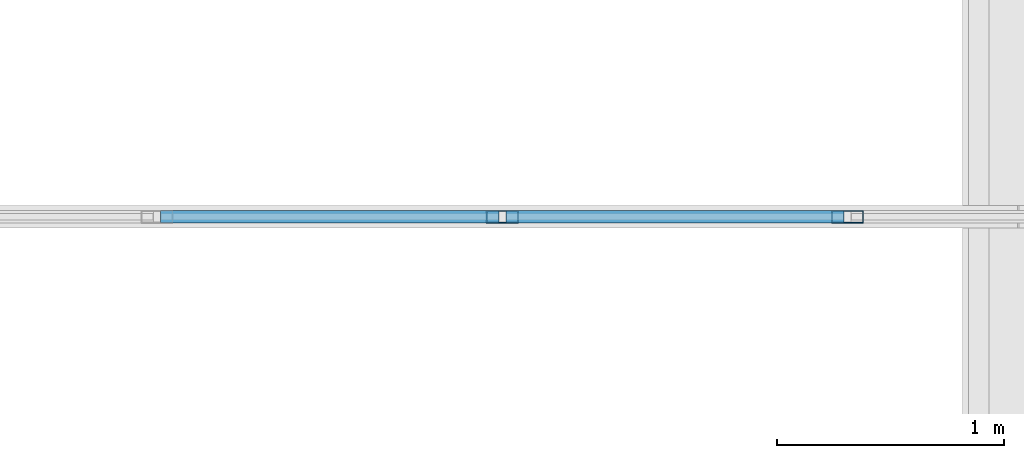
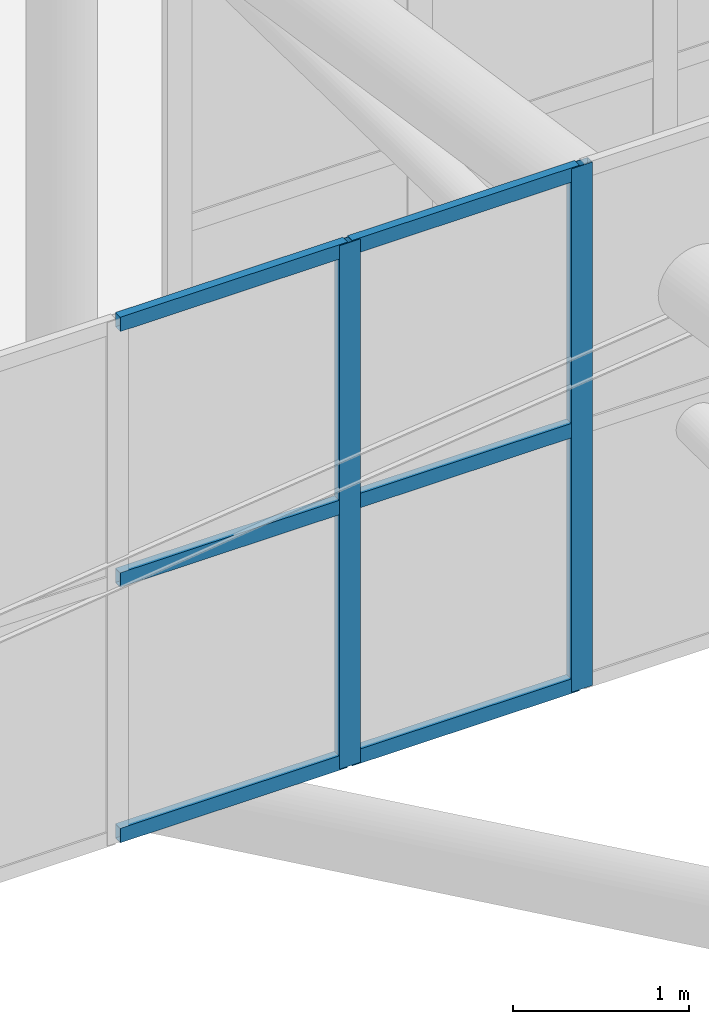
# One storey, part 241 of 397: 8 members, 1 element without a shape of its own.
"""IFC4 building model written with IfcOpenShell, lengths in metres."""

import ifcopenshell
import ifcopenshell.guid

model = None  # the IFC model being written
_history = None  # IfcOwnerHistory: only IFC2X3 demands one
_inside = {}  # id of a spatial element -> (the spatial element, [elements in it])
_under = {}  # id of a project, library or spatial element -> (it, [spatial elements below it])
_declared = {}  # id of a project -> (the project, [libraries it declares])
_typed = {}  # id of a type object -> (the type object, [elements of that type])
_made_of = {}  # id of a material, layer set ... -> (it, [elements and type objects made of it])


def new_model(schema):
    """Start an empty IFC model of exactly this schema.

    Asked for "IFC4X3", IfcOpenShell would pick the latest addendum, in which some entities
    have other attributes; the version numbers below select the first issue.
    IFC2X3 requires an IfcOwnerHistory on every rooted entity: one is made here for all.
    """
    global model, _history
    if schema == "IFC4X3":
        model = ifcopenshell.file(schema_version=(4, 3, 0, 0))
    else:
        model = ifcopenshell.file(schema=schema)
    _inside.clear()
    _under.clear()
    _declared.clear()
    _typed.clear()
    _made_of.clear()
    _history = None
    if model.schema == "IFC2X3":
        org = make("IfcOrganization", Name="unknown")
        user = make(
            "IfcPersonAndOrganization",
            ThePerson=make("IfcPerson", FamilyName="unknown"),
            TheOrganization=org,
        )
        app = make(
            "IfcApplication",
            ApplicationDeveloper=org,
            Version="unknown",
            ApplicationFullName="unknown",
            ApplicationIdentifier="unknown",
        )
        _history = make(
            "IfcOwnerHistory",
            OwningUser=user,
            OwningApplication=app,
            ChangeAction="ADDED",
            CreationDate=0,
        )
    return model


def make(cls, **values):
    """One entity of the class cls with the attributes given. An attribute that is None is left unset."""
    return model.create_entity(
        cls, **{name: value for name, value in values.items() if value is not None}
    )


def rooted(cls, **values):
    """An entity with a GlobalId (a new one), such as an element, a storey or a relation."""
    return make(cls, GlobalId=ifcopenshell.guid.new(), OwnerHistory=_history, **values)


def si_unit(unit_type, name, prefix=None):
    """IfcSIUnit, for example si_unit("LENGTHUNIT", "METRE", prefix="MILLI")."""
    return make("IfcSIUnit", UnitType=unit_type, Prefix=prefix, Name=name)


def assignment(units):
    """IfcUnitAssignment: the units of a project."""
    return None if units is None else make("IfcUnitAssignment", Units=units)


def point(xyz):
    """IfcCartesianPoint."""
    return None if xyz is None else make("IfcCartesianPoint", Coordinates=xyz)


def direction(xyz):
    """IfcDirection."""
    return None if xyz is None else make("IfcDirection", DirectionRatios=xyz)


def frame(location, z_axis=None, x_axis=None):
    """IfcAxis2Placement3D, a coordinate frame: its origin and axes. An axis left out is left unset."""
    return make(
        "IfcAxis2Placement3D",
        Location=point(location),
        Axis=direction(z_axis),
        RefDirection=direction(x_axis),
    )


def frame_2d(location, x_axis=None):
    """IfcAxis2Placement2D, a coordinate frame in the plane: its origin and x axis."""
    return make(
        "IfcAxis2Placement2D", Location=point(location), RefDirection=direction(x_axis)
    )


def origin():
    """The frame at (0, 0, 0) with its axes left unset."""
    return frame((0.0, 0.0, 0.0))


def origin_2d():
    """The frame at (0, 0) in the plane with its x axis left unset."""
    return frame_2d((0.0, 0.0))


def place(relative_to, where):
    """IfcLocalPlacement: puts the frame where relative to a parent placement (None: the world)."""
    return make(
        "IfcLocalPlacement", PlacementRelTo=relative_to, RelativePlacement=where
    )


def context(
    kind, dimensions, precision=None, world=None, true_north=None, identifier=None
):
    """IfcGeometricRepresentationContext, for example the 3D "Model" context."""
    return make(
        "IfcGeometricRepresentationContext",
        ContextIdentifier=identifier,
        ContextType=kind,
        CoordinateSpaceDimension=dimensions,
        Precision=precision,
        WorldCoordinateSystem=world,
        TrueNorth=true_north,
    )


def subcontext(parent, identifier, kind, view, scale=None):
    """IfcGeometricRepresentationSubContext, for example "Body" below "Model"."""
    return make(
        "IfcGeometricRepresentationSubContext",
        ContextIdentifier=identifier,
        ContextType=kind,
        ParentContext=parent,
        TargetScale=scale,
        TargetView=view,
    )


def project(units=None, contexts=None):
    """IfcProject with its units and contexts."""
    return rooted(
        "IfcProject",
        Name="project",
        RepresentationContexts=contexts,
        UnitsInContext=assignment(units),
    )


def spatial(cls, under=None, at=None, **own):
    """A site, building, storey or space (cls), placed at a placement, below another one or the project."""
    s = rooted(cls, ObjectPlacement=at, **own)
    if under is not None:
        _under.setdefault(under.id(), (under, []))[1].append(s)
    return s


def profile(cls, at=None, kind="AREA", **sizes):
    """A parametric profile (cls). Its sizes go by their IFC names, for example OverallWidth=200.0."""
    return make(cls, ProfileType=kind, Position=at, **sizes)


def hollow_rectangle(**sizes):
    """IfcRectangleHollowProfileDef."""
    return profile("IfcRectangleHollowProfileDef", **sizes)


def extrude(swept, where, along, depth):
    """IfcExtrudedAreaSolid: the profile swept, set in the frame where, extruded along a direction by depth."""
    return make(
        "IfcExtrudedAreaSolid",
        SweptArea=swept,
        Position=where,
        ExtrudedDirection=direction(along),
        Depth=depth,
    )


def shape(context_of_items, identifier, shape_type, items):
    """IfcShapeRepresentation: the items that make up one representation, for example the "Body"."""
    return make(
        "IfcShapeRepresentation",
        ContextOfItems=context_of_items,
        RepresentationIdentifier=identifier,
        RepresentationType=shape_type,
        Items=items,
    )


def material(Name=None, Category=None):
    """IfcMaterial."""
    return make("IfcMaterial", Name=Name, Category=Category)


def material_profile(
    of_material, cross_section, Name=None, Category=None, Priority=None
):
    """IfcMaterialProfile: a cross section and its material."""
    return make(
        "IfcMaterialProfile",
        Name=Name,
        Material=of_material,
        Profile=cross_section,
        Priority=Priority,
        Category=Category,
    )


def profile_set(profiles, Name=None, composite=None):
    """IfcMaterialProfileSet."""
    return make(
        "IfcMaterialProfileSet",
        Name=Name,
        MaterialProfiles=profiles,
        CompositeProfile=composite,
    )


def made_of(thing, what):
    """Note that an element or type object is made of a material, layer set ...; save() writes the relation."""
    if what is not None:
        _made_of.setdefault(what.id(), (what, []))[1].append(thing)
    return thing


def type_object(cls, material=None, **own):
    """A type object (cls), such as IfcWallType, which elements share."""
    return made_of(rooted(cls, **own), material)


def element(
    cls,
    number,
    at=None,
    inside=None,
    cuts=None,
    type_object=None,
    material=None,
    context=None,
    identifier="Body",
    shape_type=None,
    held_by="IfcProductDefinitionShape",
    body=None,
    shapes=None,
    **own,
):
    """One element of the class cls, such as IfcWall. Its Tag is "e" and its number.

    at: its placement. inside: the storey or other place that contains it. cuts: it is an
    opening in that element (IfcRelVoidsElement). A single representation is given by context,
    identifier, shape_type and body (its items); several are given by shapes. held_by: the class
    of the entity that holds the representations. save() writes the other relations.
    """
    e = rooted(cls, Tag="e%d" % number, ObjectPlacement=at, **own)
    if body is not None:
        shapes = [shape(context, identifier, shape_type, body)]
    if shapes is not None:
        e.Representation = make(held_by, Representations=shapes)
    if inside is not None:
        _inside.setdefault(inside.id(), (inside, []))[1].append(e)
    if cuts is not None:
        rooted(
            "IfcRelVoidsElement", RelatingBuildingElement=cuts, RelatedOpeningElement=e
        )
    if type_object is not None:
        _typed.setdefault(type_object.id(), (type_object, []))[1].append(e)
    return made_of(e, material)


def aggregate(whole, parts):
    """IfcRelAggregates: a whole, such as a stair, and the parts it consists of."""
    return rooted("IfcRelAggregates", RelatingObject=whole, RelatedObjects=parts)


def save(model, path):
    """Write the relations noted so far, then the file.

    IfcRelAggregates (storeys below a building ...), IfcRelContainedInSpatialStructure (elements
    in a storey), IfcRelDefinesByType, IfcRelAssociatesMaterial and IfcRelDeclares: one each for
    every whole, place, type object, material and project.
    """
    for whole, parts in _under.values():
        aggregate(whole, parts)
    for where, things in _inside.values():
        rooted(
            "IfcRelContainedInSpatialStructure",
            RelatedElements=things,
            RelatingStructure=where,
        )
    for kind, things in _typed.values():
        rooted("IfcRelDefinesByType", RelatedObjects=things, RelatingType=kind)
    for what, things in _made_of.values():
        rooted("IfcRelAssociatesMaterial", RelatedObjects=things, RelatingMaterial=what)
    for by, libraries in _declared.values():
        rooted("IfcRelDeclares", RelatingContext=by, RelatedDefinitions=libraries)
    model.write(path)


model = new_model("IFC4")

# Units and contexts
model_context = context("Model", 3, precision=1e-05, world=origin(), true_north=direction((0.0, 1.0)))
body_context = subcontext(model_context, "Body", "Model", "MODEL_VIEW")
ifc_project = project(units=[si_unit("LENGTHUNIT", "METRE"), si_unit("AREAUNIT", "SQUARE_METRE"), si_unit("VOLUMEUNIT", "CUBIC_METRE"), si_unit("PLANEANGLEUNIT", "RADIAN"), si_unit("MASSUNIT", "GRAM", prefix="KILO")], contexts=[model_context])

# Site, building, storey
site_placement = place(None, origin())
site = spatial("IfcSite", under=ifc_project, at=site_placement, CompositionType="ELEMENT")
building_placement = place(site_placement, origin())
building = spatial("IfcBuilding", under=site, at=building_placement, Name="Qandorah Velis Arena", CompositionType="ELEMENT")
storey_placement = place(building_placement, frame((0.0, 0.0, 27.5)))
storey = spatial("IfcBuildingStorey", under=building, at=storey_placement, Name="RF", CompositionType="ELEMENT", Elevation=27.5)

# Curtain wall, members
ifc_material_1 = material(Name="Solar-control low-E double glazing", Category="glass")
curtain_wall_type = type_object("IfcCurtainWallType", Name="ARC-CW-SYS02", PredefinedType="USERDEFINED", material=ifc_material_1)
curtain_wall_placement = place(storey_placement, origin())
curtain_wall = element("IfcCurtainWall", 1, at=curtain_wall_placement, inside=storey, type_object=curtain_wall_type, Name="Unitised curtain wall MON-4-2", ObjectType="UNITISED CURTAIN WALL", PredefinedType="USERDEFINED")
ifc_material_2 = material(Name="Champagne-bronze anodized aluminium 6063-T6", Category="aluminium")
ifc_material_profile_1 = material_profile(ifc_material_2, hollow_rectangle(XDim=0.054931640625, YDim=0.139892578125, WallThickness=0.0029296875, at=origin_2d()), Name="ALU MULLION 55x140")
ifc_profile_set_1 = profile_set([ifc_material_profile_1], Name="Champagne-bronze anodized aluminium 6063-T6")
member_type_1 = type_object("IfcMemberType", Name="ARC-CWM-140", PredefinedType="MULLION", material=ifc_profile_set_1)
member_1_placement = place(storey_placement, frame((40.916748046875, 108.0, 5.337646484375), z_axis=(0.0, 0.0, 1.0), x_axis=(0.0, 1.0, 0.0)))
member_1 = element("IfcMember", 2, at=member_1_placement, type_object=member_type_1, Name="CW02 mullion 4", PredefinedType="MULLION", context=body_context, shape_type="SweptSolid", body=[
    extrude(hollow_rectangle(XDim=0.054931640625, YDim=0.139892578125, WallThickness=0.0029296875, at=origin_2d()), origin(), (0.0, 0.0, 1.0), 3.630126953125),
])
member_2_placement = place(storey_placement, frame((42.43896484375, 108.0, 5.337646484375), z_axis=(0.0, 0.0, 1.0), x_axis=(0.0, 1.0, 0.0)))
member_2 = element("IfcMember", 3, at=member_2_placement, type_object=member_type_1, Name="CW02 mullion 5", PredefinedType="MULLION", context=body_context, shape_type="SweptSolid", body=[
    extrude(hollow_rectangle(XDim=0.054931640625, YDim=0.139892578125, WallThickness=0.0029296875, at=origin_2d()), origin(), (0.0, 0.0, 1.0), 3.630126953125),
])
ifc_material_profile_2 = material_profile(ifc_material_2, hollow_rectangle(XDim=0.054931640625, YDim=0.10009765625, WallThickness=0.0029296875, at=origin_2d()), Name="ALU TRANSOM 55x100")
ifc_profile_set_2 = profile_set([ifc_material_profile_2], Name="Champagne-bronze anodized aluminium 6063-T6")
member_type_2 = type_object("IfcMemberType", Name="ARC-CWT-100", PredefinedType="USERDEFINED", material=ifc_profile_set_2)
member_3_placement = place(storey_placement, frame((39.409912109375, 108.0, 5.380126953125), z_axis=(1.0, 0.0, 0.0), x_axis=(0.0, 1.0, 0.0)))
member_3 = element("IfcMember", 4, at=member_3_placement, type_object=member_type_2, Name="CW02 transom 3.1", ObjectType="TRANSOM", PredefinedType="USERDEFINED", context=body_context, shape_type="SweptSolid", body=[
    extrude(hollow_rectangle(XDim=0.054931640625, YDim=0.10009765625, WallThickness=0.0029296875, at=origin_2d()), origin(), (0.0, 0.0, 1.0), 1.4912109375),
])
member_4_placement = place(storey_placement, frame((39.409912109375, 108.0, 7.152587890625), z_axis=(1.0, 0.0, 0.0), x_axis=(0.0, 1.0, 0.0)))
member_4 = element("IfcMember", 5, at=member_4_placement, type_object=member_type_2, Name="CW02 transom 3.2", ObjectType="TRANSOM", PredefinedType="USERDEFINED", context=body_context, shape_type="SweptSolid", body=[
    extrude(hollow_rectangle(XDim=0.054931640625, YDim=0.10009765625, WallThickness=0.0029296875, at=origin_2d()), origin(), (0.0, 0.0, 1.0), 1.4912109375),
])
member_5_placement = place(storey_placement, frame((39.409912109375, 108.0, 8.92529296875), z_axis=(1.0, 0.0, 0.0), x_axis=(0.0, 1.0, 0.0)))
member_5 = element("IfcMember", 6, at=member_5_placement, type_object=member_type_2, Name="CW02 transom 3.3", ObjectType="TRANSOM", PredefinedType="USERDEFINED", context=body_context, shape_type="SweptSolid", body=[
    extrude(hollow_rectangle(XDim=0.054931640625, YDim=0.10009765625, WallThickness=0.0029296875, at=origin_2d()), origin(), (0.0, 0.0, 1.0), 1.4912109375),
])
member_6_placement = place(storey_placement, frame((40.93212890625, 108.0, 5.380126953125), z_axis=(1.0, 0.0, 0.0), x_axis=(0.0, 1.0, 0.0)))
member_6 = element("IfcMember", 7, at=member_6_placement, type_object=member_type_2, Name="CW02 transom 4.1", ObjectType="TRANSOM", PredefinedType="USERDEFINED", context=body_context, shape_type="SweptSolid", body=[
    extrude(hollow_rectangle(XDim=0.054931640625, YDim=0.10009765625, WallThickness=0.0029296875, at=origin_2d()), origin(), (0.0, 0.0, 1.0), 1.4912109375),
])
member_7_placement = place(storey_placement, frame((40.93212890625, 108.0, 7.152587890625), z_axis=(1.0, 0.0, 0.0), x_axis=(0.0, 1.0, 0.0)))
member_7 = element("IfcMember", 8, at=member_7_placement, type_object=member_type_2, Name="CW02 transom 4.2", ObjectType="TRANSOM", PredefinedType="USERDEFINED", context=body_context, shape_type="SweptSolid", body=[
    extrude(hollow_rectangle(XDim=0.054931640625, YDim=0.10009765625, WallThickness=0.0029296875, at=origin_2d()), origin(), (0.0, 0.0, 1.0), 1.4912109375),
])
member_8_placement = place(storey_placement, frame((40.93212890625, 108.0, 8.92529296875), z_axis=(1.0, 0.0, 0.0), x_axis=(0.0, 1.0, 0.0)))
member_8 = element("IfcMember", 9, at=member_8_placement, type_object=member_type_2, Name="CW02 transom 4.3", ObjectType="TRANSOM", PredefinedType="USERDEFINED", context=body_context, shape_type="SweptSolid", body=[
    extrude(hollow_rectangle(XDim=0.054931640625, YDim=0.10009765625, WallThickness=0.0029296875, at=origin_2d()), origin(), (0.0, 0.0, 1.0), 1.4912109375),
])
aggregate(curtain_wall, [member_1, member_2, member_3, member_4, member_5, member_6, member_7, member_8])

save(model, "model.ifc")
